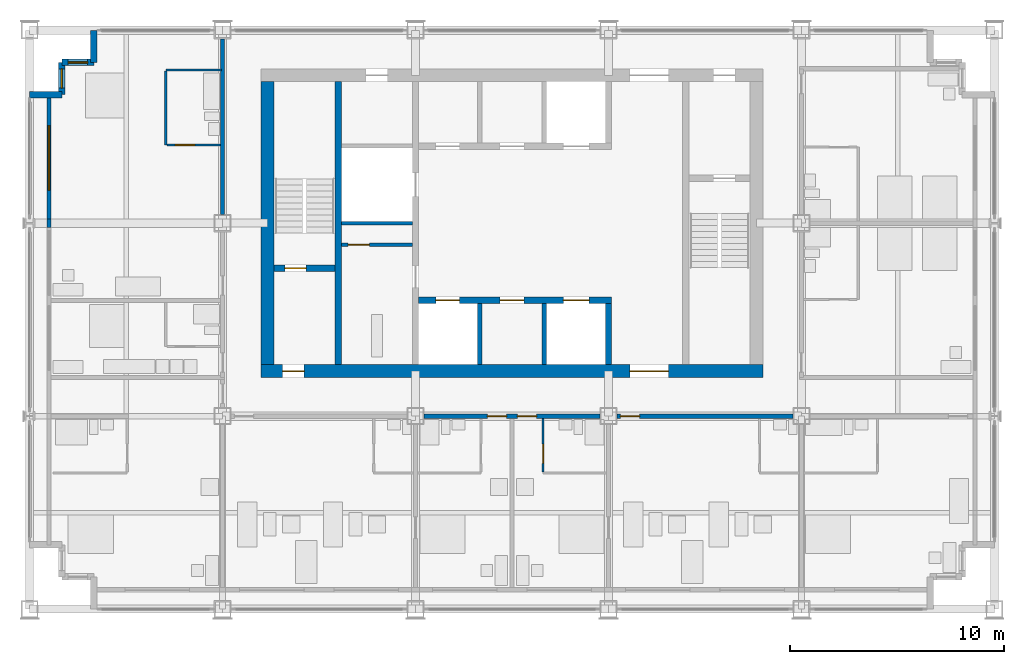
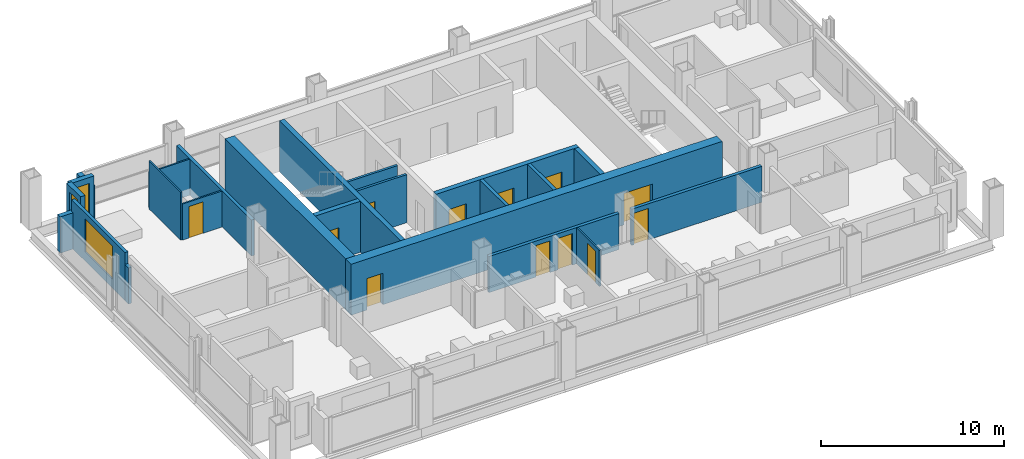
# One storey, part 8 of 13: 23 walls, 12 doors, 3 windows, 15 openings.
"""IFC4 building model written with IfcOpenShell, lengths in metres."""

from ifc_helpers import new_model, si_unit, direction, frame, frame_2d, origin, place, context, subcontext, project, spatial, rectangle, extrude, material, layer, layer_set, type_object, element, fill, save


model = new_model("IFC4")

# Units and contexts
model_context = context("Model", 3, precision=1e-05, world=origin(), true_north=direction((0.0, 1.0)))
body_context = subcontext(model_context, "Body", "Model", "MODEL_VIEW")
ifc_project = project(units=[si_unit("LENGTHUNIT", "METRE"), si_unit("AREAUNIT", "SQUARE_METRE"), si_unit("VOLUMEUNIT", "CUBIC_METRE"), si_unit("PLANEANGLEUNIT", "RADIAN"), si_unit("MASSUNIT", "GRAM", prefix="KILO")], contexts=[model_context])

# Site, building, storey
site_placement = place(None, origin())
site = spatial("IfcSite", under=ifc_project, at=site_placement, CompositionType="ELEMENT")
building_placement = place(site_placement, origin())
building = spatial("IfcBuilding", under=site, at=building_placement, Name="Loomwork Tower", CompositionType="ELEMENT")
storey_placement = place(building_placement, frame((0.0, 0.0, 214.800048828125)))
storey = spatial("IfcBuildingStorey", under=building, at=storey_placement, Name="L59", CompositionType="ELEMENT", Elevation=214.800048828125)

# Wall
ifc_material_1 = material(Name="Concrete 14000 psi (97 MPa)", Category="concrete")
ifc_layer_1 = layer(ifc_material_1, 0.300048828125)
ifc_layer_set_1 = layer_set([ifc_layer_1], Name="Core shear wall 300")
wall_type_1 = type_object("IfcWallType", Name="Core shear wall 300", PredefinedType="SHEAR", material=ifc_layer_set_1)
wall_1_placement = place(storey_placement, frame((14.39990234375, 11.39990234375, 0.0), z_axis=(0.0, 0.0, 1.0), x_axis=(0.0, 1.0, 0.0)))
element("IfcWall", 1, at=wall_1_placement, inside=storey, type_object=wall_type_1, Name="Stair A east wall L59", PredefinedType="SHEAR", context=body_context, shape_type="SweptSolid", body=[
    extrude(rectangle(XDim=13.2001953125, YDim=0.300048828125, at=frame_2d((6.60009765625, 0.0))), origin(), (0.0, 0.0, 1.0), 3.39990234375),
])

# Wall, opening, door
wall_2_placement = place(storey_placement, frame((11.39990234375, 15.89990234375, 0.0), z_axis=(0.0, 0.0, 1.0), x_axis=(1.0, 0.0, 0.0)))
wall_2 = element("IfcWall", 2, at=wall_2_placement, inside=storey, type_object=wall_type_1, Name="Stair A south wall L59", PredefinedType="SHEAR", context=body_context, shape_type="SweptSolid", body=[
    extrude(rectangle(XDim=2.85009765625, YDim=0.300048828125, at=frame_2d((1.425048828125, 0.0))), origin(), (0.0, 0.0, 1.0), 3.39990234375),
])
opening_1_placement = place(wall_2_placement, frame((0.5, 0.0, 0.0)))
opening_1 = element("IfcOpeningElement", 3, at=opening_1_placement, cuts=wall_2, Name="Opening D4", PredefinedType="OPENING", context=body_context, shape_type="SweptSolid", body=[
    extrude(rectangle(XDim=1.0, YDim=2.10009765625, at=frame_2d((0.5, 1.050048828125))), frame((0.0, 0.159912109375, 0.0), z_axis=(0.0, -1.0, 0.0), x_axis=(1.0, 0.0, 0.0)), (0.0, 0.0, 1.0), 0.320068359375),
])
ifc_material_2 = material(Name="Hollow metal door and frame")
door_type_1 = type_object("IfcDoorType", Name="Stair door 1000", OperationType="SINGLE_SWING_RIGHT", PredefinedType="DOOR", material=ifc_material_2)
door_1_placement = place(opening_1_placement, origin())
door_1 = element("IfcDoor", 4, at=door_1_placement, inside=storey, type_object=door_type_1, Name="Stair A door", OperationType="SINGLE_SWING_LEFT", OverallHeight=2.10009765625, OverallWidth=1.0, PredefinedType="DOOR", context=body_context, shape_type="SweptSolid", body=[
    extrude(rectangle(XDim=1.0, YDim=2.10009765625, at=frame_2d((0.5, 1.050048828125))), frame((0.0, 0.02490234375, 0.0), z_axis=(0.0, -1.0, 0.0), x_axis=(1.0, 0.0, 0.0)), (0.0, 0.0, 1.0), 0.050048828125),
])
fill(opening_1, door_1)

# Wall, openings, doors
wall_3_placement = place(storey_placement, frame((18.14990234375, 14.39990234375, 0.0), z_axis=(0.0, 0.0, 1.0), x_axis=(1.0, 0.0, 0.0)))
wall_3 = element("IfcWall", 5, at=wall_3_placement, inside=storey, type_object=wall_type_1, Name="Lift front wall south L59", PredefinedType="SHEAR", context=body_context, shape_type="SweptSolid", body=[
    extrude(rectangle(XDim=9.0, YDim=0.300048828125, at=frame_2d((4.5, 0.0))), origin(), (0.0, 0.0, 1.0), 3.39990234375),
])
opening_2_placement = place(wall_3_placement, frame((0.800048828125, 0.0, 0.0)))
opening_2 = element("IfcOpeningElement", 6, at=opening_2_placement, cuts=wall_3, Name="Opening LD1", PredefinedType="OPENING", context=body_context, shape_type="SweptSolid", body=[
    extrude(rectangle(XDim=1.10009765625, YDim=2.10009765625, at=frame_2d((0.550048828125, 1.050048828125))), frame((0.0, 0.159912109375, 0.0), z_axis=(0.0, -1.0, 0.0), x_axis=(1.0, 0.0, 0.0)), (0.0, 0.0, 1.0), 0.320068359375),
])
opening_3_placement = place(wall_3_placement, frame((6.75, 0.0, 0.0)))
opening_3 = element("IfcOpeningElement", 7, at=opening_3_placement, cuts=wall_3, Name="Opening LD2", PredefinedType="OPENING", context=body_context, shape_type="SweptSolid", body=[
    extrude(rectangle(XDim=1.199951171875, YDim=2.10009765625, at=frame_2d((0.60009765625, 1.050048828125))), frame((0.0, 0.159912109375, 0.0), z_axis=(0.0, -1.0, 0.0), x_axis=(1.0, 0.0, 0.0)), (0.0, 0.0, 1.0), 0.320068359375),
])
opening_4_placement = place(wall_3_placement, frame((3.800048828125, 0.0, 0.0)))
opening_4 = element("IfcOpeningElement", 8, at=opening_4_placement, cuts=wall_3, Name="Opening D17", PredefinedType="OPENING", context=body_context, shape_type="SweptSolid", body=[
    extrude(rectangle(XDim=1.10009765625, YDim=2.10009765625, at=frame_2d((0.550048828125, 1.050048828125))), frame((0.0, 0.159912109375, 0.0), z_axis=(0.0, -1.0, 0.0), x_axis=(1.0, 0.0, 0.0)), (0.0, 0.0, 1.0), 0.320068359375),
])
ifc_material_3 = material(Name="Hollow metal door and frame")
door_type_2 = type_object("IfcDoorType", Name="Lift landing door 1100", OperationType="SLIDING_TO_LEFT", PredefinedType="DOOR", material=ifc_material_3)
door_2_placement = place(opening_2_placement, origin())
door_2 = element("IfcDoor", 9, at=door_2_placement, inside=storey, type_object=door_type_2, Name="Lift landing door LC1", OperationType="SLIDING_TO_LEFT", OverallHeight=2.10009765625, OverallWidth=1.10009765625, PredefinedType="DOOR", context=body_context, shape_type="SweptSolid", body=[
    extrude(rectangle(XDim=1.10009765625, YDim=2.10009765625, at=frame_2d((0.550048828125, 1.050048828125))), frame((0.0, 0.02490234375, 0.0), z_axis=(0.0, -1.0, 0.0), x_axis=(1.0, 0.0, 0.0)), (0.0, 0.0, 1.0), 0.050048828125),
])
fill(opening_2, door_2)
ifc_material_4 = material(Name="Hollow metal door and frame")
door_type_3 = type_object("IfcDoorType", Name="Lift landing door 1200", OperationType="SLIDING_TO_LEFT", PredefinedType="DOOR", material=ifc_material_4)
door_3_placement = place(opening_3_placement, origin())
door_3 = element("IfcDoor", 10, at=door_3_placement, inside=storey, type_object=door_type_3, Name="Lift landing door LF1", OperationType="SLIDING_TO_LEFT", OverallHeight=2.10009765625, OverallWidth=1.199951171875, PredefinedType="DOOR", context=body_context, shape_type="SweptSolid", body=[
    extrude(rectangle(XDim=1.199951171875, YDim=2.10009765625, at=frame_2d((0.60009765625, 1.050048828125))), frame((0.0, 0.02490234375, 0.0), z_axis=(0.0, -1.0, 0.0), x_axis=(1.0, 0.0, 0.0)), (0.0, 0.0, 1.0), 0.050048828125),
])
fill(opening_3, door_3)
ifc_material_5 = material(Name="Hollow metal door and frame")
door_type_4 = type_object("IfcDoorType", Name="Service room door 1100", OperationType="SINGLE_SWING_LEFT", PredefinedType="DOOR", material=ifc_material_5)
door_4_placement = place(opening_4_placement, frame((1.10009765625, 0.0, 0.0), z_axis=(0.0, 0.0, 1.0), x_axis=(-1.0, 0.0, 0.0)))
door_4 = element("IfcDoor", 11, at=door_4_placement, inside=storey, type_object=door_type_4, Name="Linen and housekeeping store door L59", OperationType="SINGLE_SWING_RIGHT", OverallHeight=2.10009765625, OverallWidth=1.10009765625, PredefinedType="DOOR", context=body_context, shape_type="SweptSolid", body=[
    extrude(rectangle(XDim=1.10009765625, YDim=2.10009765625, at=frame_2d((0.550048828125, 1.050048828125))), frame((0.0, 0.02490234375, 0.0), z_axis=(0.0, -1.0, 0.0), x_axis=(1.0, 0.0, 0.0)), (0.0, 0.0, 1.0), 0.050048828125),
])
fill(opening_4, door_4)

# Wall
wall_4_placement = place(storey_placement, frame((27.0, 11.39990234375, 0.0), z_axis=(0.0, 0.0, 1.0), x_axis=(0.0, 1.0, 0.0)))
element("IfcWall", 12, at=wall_4_placement, inside=storey, type_object=wall_type_1, Name="Lift shaft end wall south L59", PredefinedType="SHEAR", context=body_context, shape_type="SweptSolid", body=[
    extrude(rectangle(XDim=2.85009765625, YDim=0.300048828125, at=frame_2d((1.425048828125, 0.0))), origin(), (0.0, 0.0, 1.0), 3.39990234375),
])

# Wall, openings, doors
ifc_material_6 = material(Name="Concrete 14000 psi (97 MPa)", Category="concrete")
ifc_layer_2 = layer(ifc_material_6, 0.60009765625)
ifc_layer_set_2 = layer_set([ifc_layer_2], Name="Core shear wall 600")
wall_type_2 = type_object("IfcWallType", Name="Core shear wall 600", PredefinedType="SHEAR", material=ifc_layer_set_2)
wall_5_placement = place(storey_placement, frame((10.800048828125, 11.10009765625, 0.0), z_axis=(0.0, 0.0, 1.0), x_axis=(1.0, 0.0, 0.0)))
wall_5 = element("IfcWall", 13, at=wall_5_placement, inside=storey, type_object=wall_type_2, Name="Core wall south L59", PredefinedType="SHEAR", context=body_context, shape_type="SweptSolid", body=[
    extrude(rectangle(XDim=23.39990234375, YDim=0.60009765625, at=frame_2d((11.699951171875, 0.0))), origin(), (0.0, 0.0, 1.0), 3.39990234375),
])
opening_5_placement = place(wall_5_placement, frame((1.0, 0.0, 0.0)))
opening_5 = element("IfcOpeningElement", 14, at=opening_5_placement, cuts=wall_5, Name="Opening D4", PredefinedType="OPENING", context=body_context, shape_type="SweptSolid", body=[
    extrude(rectangle(XDim=1.0, YDim=2.10009765625, at=frame_2d((0.5, 1.050048828125))), frame((0.0, 0.31005859375, 0.0), z_axis=(0.0, -1.0, 0.0), x_axis=(1.0, 0.0, 0.0)), (0.0, 0.0, 1.0), 0.6201171875),
])
opening_6_placement = place(wall_5_placement, frame((17.199951171875, 0.0, 0.0)))
opening_6 = element("IfcOpeningElement", 15, at=opening_6_placement, cuts=wall_5, Name="Opening D6", PredefinedType="OPENING", context=body_context, shape_type="SweptSolid", body=[
    extrude(rectangle(XDim=1.800048828125, YDim=2.10009765625, at=frame_2d((0.89990234375, 1.050048828125))), frame((0.0, 0.31005859375, 0.0), z_axis=(0.0, -1.0, 0.0), x_axis=(1.0, 0.0, 0.0)), (0.0, 0.0, 1.0), 0.6201171875),
])
ifc_material_7 = material(Name="Hollow metal door and frame")
door_type_5 = type_object("IfcDoorType", Name="Lobby passage double door 1800", OperationType="DOUBLE_DOOR_SINGLE_SWING", PredefinedType="DOOR", material=ifc_material_7)
door_5_placement = place(opening_6_placement, origin())
door_5 = element("IfcDoor", 16, at=door_5_placement, inside=storey, type_object=door_type_5, Name="Lobby passage door south", OperationType="DOUBLE_DOOR_SINGLE_SWING", OverallHeight=2.10009765625, OverallWidth=1.800048828125, PredefinedType="DOOR", context=body_context, shape_type="SweptSolid", body=[
    extrude(rectangle(XDim=1.800048828125, YDim=2.10009765625, at=frame_2d((0.89990234375, 1.050048828125))), frame((0.0, 0.02490234375, 0.0), z_axis=(0.0, -1.0, 0.0), x_axis=(1.0, 0.0, 0.0)), (0.0, 0.0, 1.0), 0.050048828125),
])
fill(opening_6, door_5)
door_6_placement = place(opening_5_placement, origin())
door_6 = element("IfcDoor", 17, at=door_6_placement, inside=storey, type_object=door_type_1, Name="Stair A vestibule door", OperationType="SINGLE_SWING_LEFT", OverallHeight=2.10009765625, OverallWidth=1.0, PredefinedType="DOOR", context=body_context, shape_type="SweptSolid", body=[
    extrude(rectangle(XDim=1.0, YDim=2.10009765625, at=frame_2d((0.5, 1.050048828125))), frame((0.0, 0.02490234375, 0.0), z_axis=(0.0, -1.0, 0.0), x_axis=(1.0, 0.0, 0.0)), (0.0, 0.0, 1.0), 0.050048828125),
])
fill(opening_5, door_6)

# Wall
wall_6_placement = place(storey_placement, frame((11.10009765625, 11.39990234375, 0.0), z_axis=(0.0, 0.0, 1.0), x_axis=(0.0, 1.0, 0.0)))
element("IfcWall", 18, at=wall_6_placement, inside=storey, type_object=wall_type_2, Name="Core wall west L59", PredefinedType="SHEAR", context=body_context, shape_type="SweptSolid", body=[
    extrude(rectangle(XDim=13.2001953125, YDim=0.60009765625, at=frame_2d((6.60009765625, 0.0))), origin(), (0.0, 0.0, 1.0), 3.39990234375),
])

# Wall, openings, doors
ifc_material_8 = material(Name="Gypsum board on steel studs, one-hour", Category="steel")
ifc_layer_3 = layer(ifc_material_8, 0.199951171875)
ifc_layer_set_3 = layer_set([ifc_layer_3], Name="Corridor wall 200")
wall_type_3 = type_object("IfcWallType", Name="Corridor wall 200", PredefinedType="PARTITIONING", material=ifc_layer_set_3)
wall_7_placement = place(storey_placement, frame((18.39990234375, 9.0, 0.0), z_axis=(0.0, 0.0, 1.0), x_axis=(1.0, 0.0, 0.0)))
wall_7 = element("IfcWall", 19, at=wall_7_placement, inside=storey, type_object=wall_type_3, Name="South corridor wall 3", PredefinedType="PARTITIONING", context=body_context, shape_type="SweptSolid", body=[
    extrude(rectangle(XDim=8.2001953125, YDim=0.199951171875, at=frame_2d((4.10009765625, 0.0))), origin(), (0.0, 0.0, 1.0), 2.405029296875),
])
opening_7_placement = place(wall_7_placement, frame((2.949951171875, 0.0, 0.0)))
opening_7 = element("IfcOpeningElement", 20, at=opening_7_placement, cuts=wall_7, Name="Opening D1", PredefinedType="OPENING", context=body_context, shape_type="SweptSolid", body=[
    extrude(rectangle(XDim=0.89990234375, YDim=2.10009765625, at=frame_2d((0.449951171875, 1.050048828125))), frame((0.0, 0.10986328125, 0.0), z_axis=(0.0, -1.0, 0.0), x_axis=(1.0, 0.0, 0.0)), (0.0, 0.0, 1.0), 0.219970703125),
])
opening_8_placement = place(wall_7_placement, frame((4.35009765625, 0.0, 0.0)))
opening_8 = element("IfcOpeningElement", 21, at=opening_8_placement, cuts=wall_7, Name="Opening D1", PredefinedType="OPENING", context=body_context, shape_type="SweptSolid", body=[
    extrude(rectangle(XDim=0.89990234375, YDim=2.10009765625, at=frame_2d((0.449951171875, 1.050048828125))), frame((0.0, 0.10986328125, 0.0), z_axis=(0.0, -1.0, 0.0), x_axis=(1.0, 0.0, 0.0)), (0.0, 0.0, 1.0), 0.219970703125),
])
ifc_material_9 = material(Name="Hollow metal door and frame")
door_type_6 = type_object("IfcDoorType", Name="Guest room entry door 900", OperationType="SINGLE_SWING_LEFT", PredefinedType="DOOR", material=ifc_material_9)
door_7_placement = place(opening_7_placement, frame((0.89990234375, 0.0, 0.0), z_axis=(0.0, 0.0, 1.0), x_axis=(-1.0, 0.0, 0.0)))
door_7 = element("IfcDoor", 22, at=door_7_placement, inside=storey, type_object=door_type_6, Name="Guest room entry door L59 3", OperationType="SINGLE_SWING_LEFT", OverallHeight=2.10009765625, OverallWidth=0.89990234375, PredefinedType="DOOR", context=body_context, shape_type="SweptSolid", body=[
    extrude(rectangle(XDim=0.89990234375, YDim=2.10009765625, at=frame_2d((0.449951171875, 1.050048828125))), frame((0.0, 0.02490234375, 0.0), z_axis=(0.0, -1.0, 0.0), x_axis=(1.0, 0.0, 0.0)), (0.0, 0.0, 1.0), 0.050048828125),
])
fill(opening_7, door_7)
door_8_placement = place(opening_8_placement, frame((0.89990234375, 0.0, 0.0), z_axis=(0.0, 0.0, 1.0), x_axis=(-1.0, 0.0, 0.0)))
door_8 = element("IfcDoor", 23, at=door_8_placement, inside=storey, type_object=door_type_6, Name="Guest room entry door L59 4", OperationType="SINGLE_SWING_RIGHT", OverallHeight=2.10009765625, OverallWidth=0.89990234375, PredefinedType="DOOR", context=body_context, shape_type="SweptSolid", body=[
    extrude(rectangle(XDim=0.89990234375, YDim=2.10009765625, at=frame_2d((0.449951171875, 1.050048828125))), frame((0.0, 0.02490234375, 0.0), z_axis=(0.0, -1.0, 0.0), x_axis=(1.0, 0.0, 0.0)), (0.0, 0.0, 1.0), 0.050048828125),
])
fill(opening_8, door_8)

# Wall, opening, door
wall_8_placement = place(storey_placement, frame((27.39990234375, 9.0, 0.0), z_axis=(0.0, 0.0, 1.0), x_axis=(1.0, 0.0, 0.0)))
wall_8 = element("IfcWall", 24, at=wall_8_placement, inside=storey, type_object=wall_type_3, Name="South corridor wall 4", PredefinedType="PARTITIONING", context=body_context, shape_type="SweptSolid", body=[
    extrude(rectangle(XDim=8.2001953125, YDim=0.199951171875, at=frame_2d((4.10009765625, 0.0))), origin(), (0.0, 0.0, 1.0), 2.405029296875),
])
opening_9_placement = place(wall_8_placement, frame((0.14990234375, 0.0, 0.0)))
opening_9 = element("IfcOpeningElement", 25, at=opening_9_placement, cuts=wall_8, Name="Opening D1", PredefinedType="OPENING", context=body_context, shape_type="SweptSolid", body=[
    extrude(rectangle(XDim=0.89990234375, YDim=2.10009765625, at=frame_2d((0.449951171875, 1.050048828125))), frame((0.0, 0.10986328125, 0.0), z_axis=(0.0, -1.0, 0.0), x_axis=(1.0, 0.0, 0.0)), (0.0, 0.0, 1.0), 0.219970703125),
])
door_9_placement = place(opening_9_placement, frame((0.89990234375, 0.0, 0.0), z_axis=(0.0, 0.0, 1.0), x_axis=(-1.0, 0.0, 0.0)))
door_9 = element("IfcDoor", 26, at=door_9_placement, inside=storey, type_object=door_type_6, Name="Guest room entry door L59 5", OperationType="SINGLE_SWING_RIGHT", OverallHeight=2.10009765625, OverallWidth=0.89990234375, PredefinedType="DOOR", context=body_context, shape_type="SweptSolid", body=[
    extrude(rectangle(XDim=0.89990234375, YDim=2.10009765625, at=frame_2d((0.449951171875, 1.050048828125))), frame((0.0, 0.02490234375, 0.0), z_axis=(0.0, -1.0, 0.0), x_axis=(1.0, 0.0, 0.0)), (0.0, 0.0, 1.0), 0.050048828125),
])
fill(opening_9, door_9)

# Wall
wall_9_placement = place(storey_placement, frame((9.0, 18.39990234375, 0.0), z_axis=(0.0, 0.0, 1.0), x_axis=(0.0, 1.0, 0.0)))
element("IfcWall", 27, at=wall_9_placement, inside=storey, type_object=wall_type_3, Name="West corridor wall 2", PredefinedType="PARTITIONING", context=body_context, shape_type="SweptSolid", body=[
    extrude(rectangle(XDim=8.2001953125, YDim=0.199951171875, at=frame_2d((4.10009765625, 0.0))), origin(), (0.0, 0.0, 1.0), 2.405029296875),
])

# Wall, opening, door
ifc_material_10 = material(Name="Cement board on steel studs", Category="steel")
ifc_layer_4 = layer(ifc_material_10, 0.10009765625)
ifc_layer_set_4 = layer_set([ifc_layer_4], Name="En-suite partition 100")
wall_type_4 = type_object("IfcWallType", Name="En-suite partition 100", PredefinedType="PARTITIONING", material=ifc_layer_set_4)
wall_10_placement = place(storey_placement, frame((23.949951171875, 8.89990234375, 0.0), z_axis=(0.0, 0.0, 1.0), x_axis=(0.0, -1.0, 0.0)))
wall_10 = element("IfcWall", 28, at=wall_10_placement, inside=storey, type_object=wall_type_4, Name="En-suite side wall L59 room 4", PredefinedType="PARTITIONING", context=body_context, shape_type="SweptSolid", body=[
    extrude(rectangle(XDim=2.5, YDim=0.10009765625, at=frame_2d((1.25, 0.0))), origin(), (0.0, 0.0, 1.0), 2.404052734375),
])
opening_10_placement = place(wall_10_placement, frame((1.199951171875, 0.0, 0.0)))
opening_10 = element("IfcOpeningElement", 29, at=opening_10_placement, cuts=wall_10, Name="Opening D2", PredefinedType="OPENING", context=body_context, shape_type="SweptSolid", body=[
    extrude(rectangle(XDim=0.89990234375, YDim=2.10009765625, at=frame_2d((0.449951171875, 1.050048828125))), frame((0.0, 0.06005859375, 0.0), z_axis=(0.0, -1.0, 0.0), x_axis=(1.0, 0.0, 0.0)), (0.0, 0.0, 1.0), 0.1201171875),
])
ifc_material_11 = material(Name="Hollow metal door and frame")
door_type_7 = type_object("IfcDoorType", Name="En-suite door 900", OperationType="SINGLE_SWING_LEFT", PredefinedType="DOOR", material=ifc_material_11)
door_10_placement = place(opening_10_placement, origin())
door_10 = element("IfcDoor", 30, at=door_10_placement, inside=storey, type_object=door_type_7, Name="En-suite door room 4", OperationType="SINGLE_SWING_RIGHT", OverallHeight=2.10009765625, OverallWidth=0.89990234375, PredefinedType="DOOR", context=body_context, shape_type="SweptSolid", body=[
    extrude(rectangle(XDim=0.89990234375, YDim=2.10009765625, at=frame_2d((0.449951171875, 1.050048828125))), frame((0.0, 0.02490234375, 0.0), z_axis=(0.0, -1.0, 0.0), x_axis=(1.0, 0.0, 0.0)), (0.0, 0.0, 1.0), 0.050048828125),
])
fill(opening_10, door_10)

# Wall
wall_11_placement = place(storey_placement, frame((6.35009765625, 21.64990234375, 0.0), z_axis=(0.0, 0.0, 1.0), x_axis=(0.0, 1.0, 0.0)))
element("IfcWall", 31, at=wall_11_placement, inside=storey, type_object=wall_type_4, Name="En-suite wall L59 room 8", PredefinedType="PARTITIONING", context=body_context, shape_type="SweptSolid", body=[
    extrude(rectangle(XDim=3.4501953125, YDim=0.10009765625, at=frame_2d((1.72509765625, 0.0))), origin(), (0.0, 0.0, 1.0), 3.199951171875),
])

# Wall, opening, door
wall_12_placement = place(storey_placement, frame((8.89990234375, 21.64990234375, 0.0), z_axis=(0.0, 0.0, 1.0), x_axis=(-1.0, 0.0, 0.0)))
wall_12 = element("IfcWall", 32, at=wall_12_placement, inside=storey, type_object=wall_type_4, Name="En-suite side wall L59 room 8", PredefinedType="PARTITIONING", context=body_context, shape_type="SweptSolid", body=[
    extrude(rectangle(XDim=2.5, YDim=0.10009765625, at=frame_2d((1.25, 0.0))), origin(), (0.0, 0.0, 1.0), 2.404052734375),
])
opening_11_placement = place(wall_12_placement, frame((1.199951171875, 0.0, 0.0)))
opening_11 = element("IfcOpeningElement", 33, at=opening_11_placement, cuts=wall_12, Name="Opening D2", PredefinedType="OPENING", context=body_context, shape_type="SweptSolid", body=[
    extrude(rectangle(XDim=0.89990234375, YDim=2.10009765625, at=frame_2d((0.449951171875, 1.050048828125))), frame((0.0, 0.06005859375, 0.0), z_axis=(0.0, -1.0, 0.0), x_axis=(1.0, 0.0, 0.0)), (0.0, 0.0, 1.0), 0.1201171875),
])
door_11_placement = place(opening_11_placement, frame((0.89990234375, 0.0, 0.0), z_axis=(0.0, 0.0, 1.0), x_axis=(-1.0, 0.0, 0.0)))
door_11 = element("IfcDoor", 34, at=door_11_placement, inside=storey, type_object=door_type_7, Name="En-suite door room 8", OperationType="SINGLE_SWING_LEFT", OverallHeight=2.10009765625, OverallWidth=0.89990234375, PredefinedType="DOOR", context=body_context, shape_type="SweptSolid", body=[
    extrude(rectangle(XDim=0.89990234375, YDim=2.10009765625, at=frame_2d((0.449951171875, 1.050048828125))), frame((0.0, 0.02490234375, 0.0), z_axis=(0.0, -1.0, 0.0), x_axis=(1.0, 0.0, 0.0)), (0.0, 0.0, 1.0), 0.050048828125),
])
fill(opening_11, door_11)

# Walls
wall_13_placement = place(storey_placement, frame((6.35009765625, 25.14990234375, 0.0), z_axis=(0.0, 0.0, 1.0), x_axis=(1.0, 0.0, 0.0)))
element("IfcWall", 35, at=wall_13_placement, inside=storey, type_object=wall_type_4, Name="En-suite wall L59 stub", PredefinedType="PARTITIONING", context=body_context, shape_type="SweptSolid", body=[
    extrude(rectangle(XDim=2.599853515625, YDim=0.10009765625, at=frame_2d((1.2998046875, 0.0))), origin(), (0.0, 0.0, 1.0), 2.404052734375),
])
ifc_material_12 = material(Name="Insulated steel stud wall with gypsum lining", Category="steel")
ifc_layer_5 = layer(ifc_material_12, 0.199951171875)
ifc_layer_set_5 = layer_set([ifc_layer_5], Name="Inner skin wall 200")
wall_type_5 = type_object("IfcWallType", Name="Inner skin wall 200", PredefinedType="SOLIDWALL", material=ifc_layer_set_5)
wall_14_placement = place(storey_placement, frame((0.89990234375, 17.80615234375, 0.0), z_axis=(0.0, 0.0, 1.0), x_axis=(0.0, 1.0, 0.0)))
element("IfcWall", 36, at=wall_14_placement, inside=storey, type_object=wall_type_5, Name="Inner skin wall W bay 6", PredefinedType="SOLIDWALL", context=body_context, shape_type="SweptSolid", body=[
    extrude(rectangle(XDim=0.3876953125, YDim=0.199951171875, at=frame_2d((0.19384765625, 0.0))), origin(), (0.0, 0.0, 1.0), 2.404052734375),
])

# Wall, opening, window
wall_15_placement = place(storey_placement, frame((0.89990234375, 18.19384765625, 0.0), z_axis=(0.0, 0.0, 1.0), x_axis=(0.0, 1.0, 0.0)))
wall_15 = element("IfcWall", 37, at=wall_15_placement, inside=storey, type_object=wall_type_5, Name="Inner skin wall W bay 7", PredefinedType="SOLIDWALL", context=body_context, shape_type="SweptSolid", body=[
    extrude(rectangle(XDim=5.80615234375, YDim=0.199951171875, at=frame_2d((2.903076171875, 0.0))), origin(), (0.0, 0.0, 1.0), 3.199951171875),
])
opening_12_placement = place(wall_15_placement, frame((1.356201171875, 0.0, 0.60009765625)))
opening_12 = element("IfcOpeningElement", 38, at=opening_12_placement, cuts=wall_15, Name="Opening CH1", PredefinedType="OPENING", context=body_context, shape_type="SweptSolid", body=[
    extrude(rectangle(XDim=3.0, YDim=2.199951171875, at=frame_2d((1.5, 1.10009765625))), frame((0.0, 0.10986328125, 0.0), z_axis=(0.0, -1.0, 0.0), x_axis=(1.0, 0.0, 0.0)), (0.0, 0.0, 1.0), 0.219970703125),
])
ifc_material_13 = material(Name="Aluminium frame with clear insulated glass", Category="aluminium")
window_type_1 = type_object("IfcWindowType", Name="Chicago window 3000", PartitioningType="TRIPLE_PANEL_VERTICAL", PredefinedType="WINDOW", material=ifc_material_13)
window_1_placement = place(opening_12_placement, origin())
window_1 = element("IfcWindow", 39, at=window_1_placement, inside=storey, type_object=window_type_1, Name="Chicago window L59 bay 7", OverallHeight=2.199951171875, OverallWidth=3.0, PartitioningType="TRIPLE_PANEL_VERTICAL", PredefinedType="WINDOW", context=body_context, shape_type="SweptSolid", body=[
    extrude(rectangle(XDim=3.0, YDim=2.199951171875, at=frame_2d((1.5, 1.10009765625))), frame((0.0, 0.030029296875, 0.0), z_axis=(0.0, -1.0, 0.0), x_axis=(1.0, 0.0, 0.0)), (0.0, 0.0, 1.0), 0.06005859375),
])
fill(opening_12, window_1)

# Walls
ifc_material_14 = material(Name="Concrete 14000 psi (97 MPa)", Category="concrete")
ifc_layer_6 = layer(ifc_material_14, 0.199951171875)
ifc_layer_set_6 = layer_set([ifc_layer_6], Name="Lift shaft wall 200")
wall_type_6 = type_object("IfcWallType", Name="Lift shaft wall 200", PredefinedType="SHEAR", material=ifc_layer_set_6)
for number, where, z_axis, x_axis, name in (
    (40, (21.0, 11.39990234375, 0.0), (0.0, 0.0, 1.0), (0.0, 1.0, 0.0), "Lift shaft separation wall south 1 L59"),
    (41, (24.0, 11.39990234375, 0.0), (0.0, 0.0, 1.0), (0.0, 1.0, 0.0), "Lift shaft separation wall south 2 L59"),
):
    element("IfcWall", number, at=place(storey_placement, frame(where, z_axis=z_axis, x_axis=x_axis)), inside=storey, type_object=wall_type_6, Name=name, PredefinedType="SHEAR", context=body_context, shape_type="SweptSolid", body=[
        extrude(rectangle(XDim=2.85009765625, YDim=0.199951171875, at=frame_2d((1.425048828125, 0.0))), origin(), (0.0, 0.0, 1.0), 3.39990234375),
    ])
ifc_material_15 = material(Name="Limestone on concrete masonry", Category="masonry")
ifc_layer_7 = layer(ifc_material_15, 0.300048828125)
ifc_layer_set_7 = layer_set([ifc_layer_7], Name="Limestone corner wall 300")
wall_type_7 = type_object("IfcWallType", Name="Limestone corner wall 300", PredefinedType="SOLIDWALL", material=ifc_layer_set_7)
wall_16_placement = place(storey_placement, frame((3.0, 27.0, 0.0), z_axis=(0.0, 0.0, 1.0), x_axis=(0.0, -1.0, 0.0)))
element("IfcWall", 42, at=wall_16_placement, inside=storey, type_object=wall_type_7, Name="Stone corner wall NW 1", PredefinedType="SOLIDWALL", context=body_context, shape_type="SweptSolid", body=[
    extrude(rectangle(XDim=1.5, YDim=0.300048828125, at=frame_2d((0.75, 0.0))), origin(), (0.0, 0.0, 1.0), 2.419921875),
])

# Wall, opening, window
wall_17_placement = place(storey_placement, frame((3.0, 25.5, 0.0), z_axis=(0.0, 0.0, 1.0), x_axis=(-1.0, 0.0, 0.0)))
wall_17 = element("IfcWall", 43, at=wall_17_placement, inside=storey, type_object=wall_type_7, Name="Stone corner wall NW 2", PredefinedType="SOLIDWALL", context=body_context, shape_type="SweptSolid", body=[
    extrude(rectangle(XDim=1.5, YDim=0.300048828125, at=frame_2d((0.75, 0.0))), origin(), (0.0, 0.0, 1.0), 3.199951171875),
])
opening_13_placement = place(wall_17_placement, frame((0.300048828125, 0.0, 0.60009765625)))
opening_13 = element("IfcOpeningElement", 44, at=opening_13_placement, cuts=wall_17, Name="Opening CH2", PredefinedType="OPENING", context=body_context, shape_type="SweptSolid", body=[
    extrude(rectangle(XDim=0.89990234375, YDim=2.199951171875, at=frame_2d((0.449951171875, 1.10009765625))), frame((0.0, 0.159912109375, 0.0), z_axis=(0.0, -1.0, 0.0), x_axis=(1.0, 0.0, 0.0)), (0.0, 0.0, 1.0), 0.320068359375),
])
ifc_material_16 = material(Name="Aluminium frame with clear insulated glass", Category="aluminium")
window_type_2 = type_object("IfcWindowType", Name="Corner window 900", PartitioningType="SINGLE_PANEL", PredefinedType="WINDOW", material=ifc_material_16)
window_2_placement = place(opening_13_placement, origin())
window_2 = element("IfcWindow", 45, at=window_2_placement, inside=storey, type_object=window_type_2, Name="Corner window NW", OverallHeight=2.199951171875, OverallWidth=0.89990234375, PartitioningType="SINGLE_PANEL", PredefinedType="WINDOW", context=body_context, shape_type="SweptSolid", body=[
    extrude(rectangle(XDim=0.89990234375, YDim=2.199951171875, at=frame_2d((0.449951171875, 1.10009765625))), frame((0.0, 0.030029296875, 0.0), z_axis=(0.0, -1.0, 0.0), x_axis=(1.0, 0.0, 0.0)), (0.0, 0.0, 1.0), 0.06005859375),
])
fill(opening_13, window_2)

wall_18_placement = place(storey_placement, frame((1.5, 25.5, 0.0), z_axis=(0.0, 0.0, 1.0), x_axis=(0.0, -1.0, 0.0)))
wall_18 = element("IfcWall", 46, at=wall_18_placement, inside=storey, type_object=wall_type_7, Name="Stone corner wall NW 3", PredefinedType="SOLIDWALL", context=body_context, shape_type="SweptSolid", body=[
    extrude(rectangle(XDim=1.5, YDim=0.300048828125, at=frame_2d((0.75, 0.0))), origin(), (0.0, 0.0, 1.0), 3.199951171875),
])
opening_14_placement = place(wall_18_placement, frame((0.300048828125, 0.0, 0.60009765625)))
opening_14 = element("IfcOpeningElement", 47, at=opening_14_placement, cuts=wall_18, Name="Opening CH2", PredefinedType="OPENING", context=body_context, shape_type="SweptSolid", body=[
    extrude(rectangle(XDim=0.89990234375, YDim=2.199951171875, at=frame_2d((0.449951171875, 1.10009765625))), frame((0.0, 0.159912109375, 0.0), z_axis=(0.0, -1.0, 0.0), x_axis=(1.0, 0.0, 0.0)), (0.0, 0.0, 1.0), 0.320068359375),
])
window_3_placement = place(opening_14_placement, origin())
window_3 = element("IfcWindow", 48, at=window_3_placement, inside=storey, type_object=window_type_2, Name="Corner window NW", OverallHeight=2.199951171875, OverallWidth=0.89990234375, PartitioningType="SINGLE_PANEL", PredefinedType="WINDOW", context=body_context, shape_type="SweptSolid", body=[
    extrude(rectangle(XDim=0.89990234375, YDim=2.199951171875, at=frame_2d((0.449951171875, 1.10009765625))), frame((0.0, 0.030029296875, 0.0), z_axis=(0.0, -1.0, 0.0), x_axis=(1.0, 0.0, 0.0)), (0.0, 0.0, 1.0), 0.06005859375),
])
fill(opening_14, window_3)

# Walls
wall_19_placement = place(storey_placement, frame((1.5, 24.0, 0.0), z_axis=(0.0, 0.0, 1.0), x_axis=(-1.0, 0.0, 0.0)))
element("IfcWall", 49, at=wall_19_placement, inside=storey, type_object=wall_type_7, Name="Stone corner wall NW 4", PredefinedType="SOLIDWALL", context=body_context, shape_type="SweptSolid", body=[
    extrude(rectangle(XDim=1.5, YDim=0.300048828125, at=frame_2d((0.75, 0.0))), origin(), (0.0, 0.0, 1.0), 2.419921875),
])
ifc_material_17 = material(Name="Gypsum board on steel studs", Category="steel")
ifc_layer_8 = layer(ifc_material_17, 0.14990234375)
ifc_layer_set_8 = layer_set([ifc_layer_8], Name="Partition 150 two-hour")
wall_type_8 = type_object("IfcWallType", Name="Partition 150 two-hour", PredefinedType="PARTITIONING", material=ifc_layer_set_8)
wall_20_placement = place(storey_placement, frame((14.550048828125, 18.0, 0.0), z_axis=(0.0, 0.0, 1.0), x_axis=(1.0, 0.0, 0.0)))
element("IfcWall", 50, at=wall_20_placement, inside=storey, type_object=wall_type_8, Name="Back-of-house dividing wall L59", PredefinedType="PARTITIONING", context=body_context, shape_type="SweptSolid", body=[
    extrude(rectangle(XDim=3.300048828125, YDim=0.14990234375, at=frame_2d((1.64990234375, 0.0))), origin(), (0.0, 0.0, 1.0), 3.199951171875),
])

# Wall, opening, door
ifc_material_18 = material(Name="Gypsum board on steel studs, one-hour", Category="steel")
ifc_layer_9 = layer(ifc_material_18, 0.14990234375)
ifc_layer_set_9 = layer_set([ifc_layer_9], Name="Service partition 150")
wall_type_9 = type_object("IfcWallType", Name="Service partition 150", PredefinedType="PARTITIONING", material=ifc_layer_set_9)
wall_21_placement = place(storey_placement, frame((14.550048828125, 17.0, 0.0), z_axis=(0.0, 0.0, 1.0), x_axis=(1.0, 0.0, 0.0)))
wall_21 = element("IfcWall", 51, at=wall_21_placement, inside=storey, type_object=wall_type_9, Name="Riser enclosure L59", PredefinedType="PARTITIONING", context=body_context, shape_type="SweptSolid", body=[
    extrude(rectangle(XDim=3.300048828125, YDim=0.14990234375, at=frame_2d((1.64990234375, 0.0))), origin(), (0.0, 0.0, 1.0), 3.199951171875),
])
opening_15_placement = place(wall_21_placement, frame((0.300048828125, 0.0, 0.0)))
opening_15 = element("IfcOpeningElement", 52, at=opening_15_placement, cuts=wall_21, Name="Opening D18", PredefinedType="OPENING", context=body_context, shape_type="SweptSolid", body=[
    extrude(rectangle(XDim=1.0, YDim=2.10009765625, at=frame_2d((0.5, 1.050048828125))), frame((0.0, 0.0849609375, 0.0), z_axis=(0.0, -1.0, 0.0), x_axis=(1.0, 0.0, 0.0)), (0.0, 0.0, 1.0), 0.169921875),
])
ifc_material_19 = material(Name="Hollow metal door and frame")
door_type_8 = type_object("IfcDoorType", Name="Ninety-minute service door 1000", OperationType="SINGLE_SWING_LEFT", PredefinedType="DOOR", material=ifc_material_19)
door_12_placement = place(opening_15_placement, frame((1.0, 0.0, 0.0), z_axis=(0.0, 0.0, 1.0), x_axis=(-1.0, 0.0, 0.0)))
door_12 = element("IfcDoor", 53, at=door_12_placement, inside=storey, type_object=door_type_8, Name="Riser access door", OperationType="SINGLE_SWING_RIGHT", OverallHeight=2.10009765625, OverallWidth=1.0, PredefinedType="DOOR", context=body_context, shape_type="SweptSolid", body=[
    extrude(rectangle(XDim=1.0, YDim=2.10009765625, at=frame_2d((0.5, 1.050048828125))), frame((0.0, 0.02490234375, 0.0), z_axis=(0.0, -1.0, 0.0), x_axis=(1.0, 0.0, 0.0)), (0.0, 0.0, 1.0), 0.050048828125),
])
fill(opening_15, door_12)

save(model, "model.ifc")
